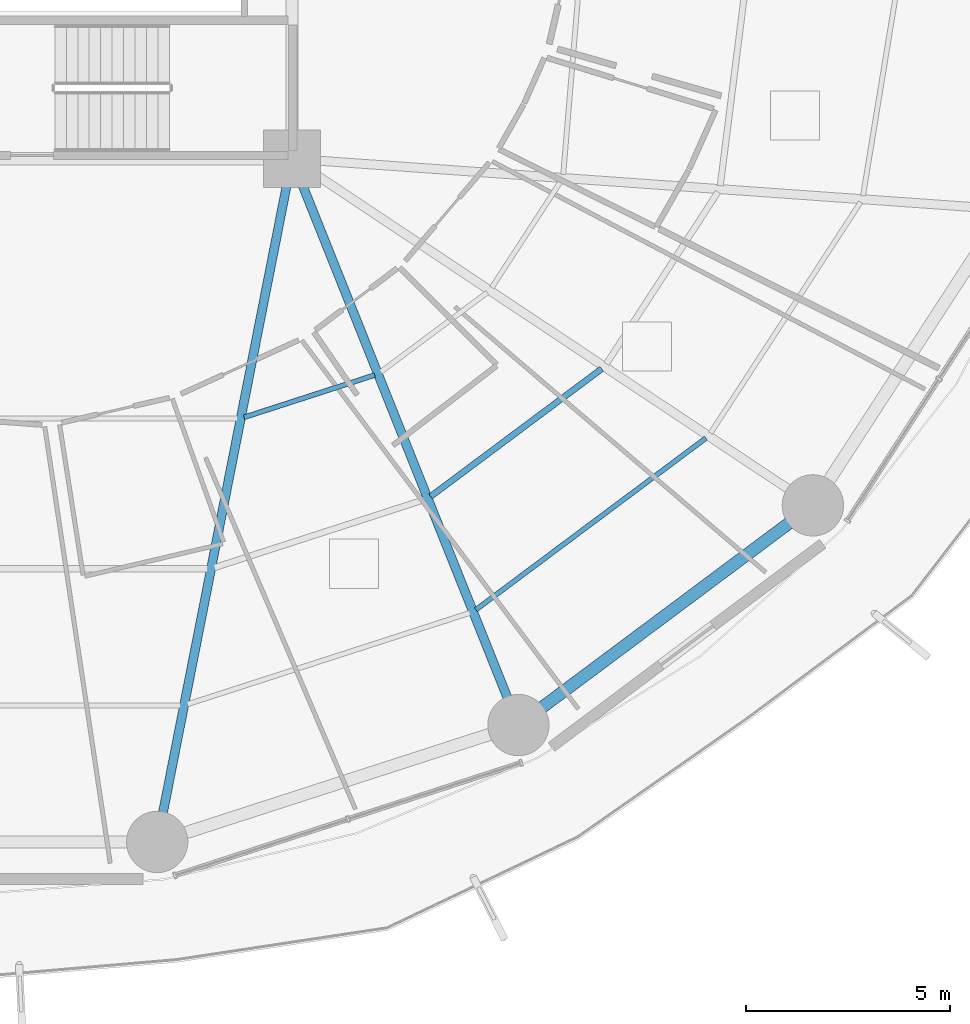
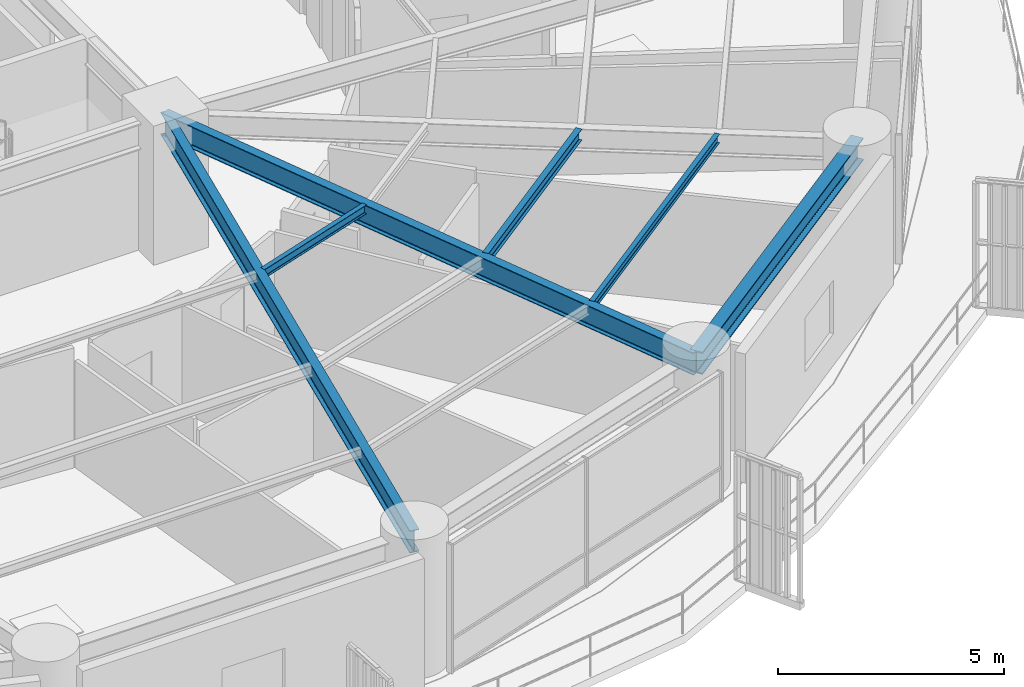
# One storey, part 9 of 32: 6 beams.
"""IFC4 building model written with IfcOpenShell, lengths in metres."""

import ifcopenshell
import ifcopenshell.guid

model = None  # the IFC model being written
_history = None  # IfcOwnerHistory: only IFC2X3 demands one
_inside = {}  # id of a spatial element -> (the spatial element, [elements in it])
_under = {}  # id of a project, library or spatial element -> (it, [spatial elements below it])
_declared = {}  # id of a project -> (the project, [libraries it declares])
_typed = {}  # id of a type object -> (the type object, [elements of that type])
_made_of = {}  # id of a material, layer set ... -> (it, [elements and type objects made of it])


def new_model(schema):
    """Start an empty IFC model of exactly this schema.

    Asked for "IFC4X3", IfcOpenShell would pick the latest addendum, in which some entities
    have other attributes; the version numbers below select the first issue.
    IFC2X3 requires an IfcOwnerHistory on every rooted entity: one is made here for all.
    """
    global model, _history
    if schema == "IFC4X3":
        model = ifcopenshell.file(schema_version=(4, 3, 0, 0))
    else:
        model = ifcopenshell.file(schema=schema)
    _inside.clear()
    _under.clear()
    _declared.clear()
    _typed.clear()
    _made_of.clear()
    _history = None
    if model.schema == "IFC2X3":
        org = make("IfcOrganization", Name="unknown")
        user = make(
            "IfcPersonAndOrganization",
            ThePerson=make("IfcPerson", FamilyName="unknown"),
            TheOrganization=org,
        )
        app = make(
            "IfcApplication",
            ApplicationDeveloper=org,
            Version="unknown",
            ApplicationFullName="unknown",
            ApplicationIdentifier="unknown",
        )
        _history = make(
            "IfcOwnerHistory",
            OwningUser=user,
            OwningApplication=app,
            ChangeAction="ADDED",
            CreationDate=0,
        )
    return model


def make(cls, **values):
    """One entity of the class cls with the attributes given. An attribute that is None is left unset."""
    return model.create_entity(
        cls, **{name: value for name, value in values.items() if value is not None}
    )


def rooted(cls, **values):
    """An entity with a GlobalId (a new one), such as an element, a storey or a relation."""
    return make(cls, GlobalId=ifcopenshell.guid.new(), OwnerHistory=_history, **values)


def si_unit(unit_type, name, prefix=None):
    """IfcSIUnit, for example si_unit("LENGTHUNIT", "METRE", prefix="MILLI")."""
    return make("IfcSIUnit", UnitType=unit_type, Prefix=prefix, Name=name)


def assignment(units):
    """IfcUnitAssignment: the units of a project."""
    return None if units is None else make("IfcUnitAssignment", Units=units)


def point(xyz):
    """IfcCartesianPoint."""
    return None if xyz is None else make("IfcCartesianPoint", Coordinates=xyz)


def direction(xyz):
    """IfcDirection."""
    return None if xyz is None else make("IfcDirection", DirectionRatios=xyz)


def frame(location, z_axis=None, x_axis=None):
    """IfcAxis2Placement3D, a coordinate frame: its origin and axes. An axis left out is left unset."""
    return make(
        "IfcAxis2Placement3D",
        Location=point(location),
        Axis=direction(z_axis),
        RefDirection=direction(x_axis),
    )


def frame_2d(location, x_axis=None):
    """IfcAxis2Placement2D, a coordinate frame in the plane: its origin and x axis."""
    return make(
        "IfcAxis2Placement2D", Location=point(location), RefDirection=direction(x_axis)
    )


def origin():
    """The frame at (0, 0, 0) with its axes left unset."""
    return frame((0.0, 0.0, 0.0))


def origin_2d():
    """The frame at (0, 0) in the plane with its x axis left unset."""
    return frame_2d((0.0, 0.0))


def place(relative_to, where):
    """IfcLocalPlacement: puts the frame where relative to a parent placement (None: the world)."""
    return make(
        "IfcLocalPlacement", PlacementRelTo=relative_to, RelativePlacement=where
    )


def context(
    kind, dimensions, precision=None, world=None, true_north=None, identifier=None
):
    """IfcGeometricRepresentationContext, for example the 3D "Model" context."""
    return make(
        "IfcGeometricRepresentationContext",
        ContextIdentifier=identifier,
        ContextType=kind,
        CoordinateSpaceDimension=dimensions,
        Precision=precision,
        WorldCoordinateSystem=world,
        TrueNorth=true_north,
    )


def subcontext(parent, identifier, kind, view, scale=None):
    """IfcGeometricRepresentationSubContext, for example "Body" below "Model"."""
    return make(
        "IfcGeometricRepresentationSubContext",
        ContextIdentifier=identifier,
        ContextType=kind,
        ParentContext=parent,
        TargetScale=scale,
        TargetView=view,
    )


def project(units=None, contexts=None):
    """IfcProject with its units and contexts."""
    return rooted(
        "IfcProject",
        Name="project",
        RepresentationContexts=contexts,
        UnitsInContext=assignment(units),
    )


def spatial(cls, under=None, at=None, **own):
    """A site, building, storey or space (cls), placed at a placement, below another one or the project."""
    s = rooted(cls, ObjectPlacement=at, **own)
    if under is not None:
        _under.setdefault(under.id(), (under, []))[1].append(s)
    return s


def profile(cls, at=None, kind="AREA", **sizes):
    """A parametric profile (cls). Its sizes go by their IFC names, for example OverallWidth=200.0."""
    return make(cls, ProfileType=kind, Position=at, **sizes)


def i_section(**sizes):
    """IfcIShapeProfileDef."""
    return profile("IfcIShapeProfileDef", **sizes)


def extrude(swept, where, along, depth):
    """IfcExtrudedAreaSolid: the profile swept, set in the frame where, extruded along a direction by depth."""
    return make(
        "IfcExtrudedAreaSolid",
        SweptArea=swept,
        Position=where,
        ExtrudedDirection=direction(along),
        Depth=depth,
    )


def shape(context_of_items, identifier, shape_type, items):
    """IfcShapeRepresentation: the items that make up one representation, for example the "Body"."""
    return make(
        "IfcShapeRepresentation",
        ContextOfItems=context_of_items,
        RepresentationIdentifier=identifier,
        RepresentationType=shape_type,
        Items=items,
    )


def material(Name=None, Category=None):
    """IfcMaterial."""
    return make("IfcMaterial", Name=Name, Category=Category)


def material_profile(
    of_material, cross_section, Name=None, Category=None, Priority=None
):
    """IfcMaterialProfile: a cross section and its material."""
    return make(
        "IfcMaterialProfile",
        Name=Name,
        Material=of_material,
        Profile=cross_section,
        Priority=Priority,
        Category=Category,
    )


def profile_set(profiles, Name=None, composite=None):
    """IfcMaterialProfileSet."""
    return make(
        "IfcMaterialProfileSet",
        Name=Name,
        MaterialProfiles=profiles,
        CompositeProfile=composite,
    )


def made_of(thing, what):
    """Note that an element or type object is made of a material, layer set ...; save() writes the relation."""
    if what is not None:
        _made_of.setdefault(what.id(), (what, []))[1].append(thing)
    return thing


def type_object(cls, material=None, **own):
    """A type object (cls), such as IfcWallType, which elements share."""
    return made_of(rooted(cls, **own), material)


def element(
    cls,
    number,
    at=None,
    inside=None,
    cuts=None,
    type_object=None,
    material=None,
    context=None,
    identifier="Body",
    shape_type=None,
    held_by="IfcProductDefinitionShape",
    body=None,
    shapes=None,
    **own,
):
    """One element of the class cls, such as IfcWall. Its Tag is "e" and its number.

    at: its placement. inside: the storey or other place that contains it. cuts: it is an
    opening in that element (IfcRelVoidsElement). A single representation is given by context,
    identifier, shape_type and body (its items); several are given by shapes. held_by: the class
    of the entity that holds the representations. save() writes the other relations.
    """
    e = rooted(cls, Tag="e%d" % number, ObjectPlacement=at, **own)
    if body is not None:
        shapes = [shape(context, identifier, shape_type, body)]
    if shapes is not None:
        e.Representation = make(held_by, Representations=shapes)
    if inside is not None:
        _inside.setdefault(inside.id(), (inside, []))[1].append(e)
    if cuts is not None:
        rooted(
            "IfcRelVoidsElement", RelatingBuildingElement=cuts, RelatedOpeningElement=e
        )
    if type_object is not None:
        _typed.setdefault(type_object.id(), (type_object, []))[1].append(e)
    return made_of(e, material)


def aggregate(whole, parts):
    """IfcRelAggregates: a whole, such as a stair, and the parts it consists of."""
    return rooted("IfcRelAggregates", RelatingObject=whole, RelatedObjects=parts)


def save(model, path):
    """Write the relations noted so far, then the file.

    IfcRelAggregates (storeys below a building ...), IfcRelContainedInSpatialStructure (elements
    in a storey), IfcRelDefinesByType, IfcRelAssociatesMaterial and IfcRelDeclares: one each for
    every whole, place, type object, material and project.
    """
    for whole, parts in _under.values():
        aggregate(whole, parts)
    for where, things in _inside.values():
        rooted(
            "IfcRelContainedInSpatialStructure",
            RelatedElements=things,
            RelatingStructure=where,
        )
    for kind, things in _typed.values():
        rooted("IfcRelDefinesByType", RelatedObjects=things, RelatingType=kind)
    for what, things in _made_of.values():
        rooted("IfcRelAssociatesMaterial", RelatedObjects=things, RelatingMaterial=what)
    for by, libraries in _declared.values():
        rooted("IfcRelDeclares", RelatingContext=by, RelatedDefinitions=libraries)
    model.write(path)


model = new_model("IFC4")

# Units and contexts
model_context = context("Model", 3, precision=1e-05, world=origin(), true_north=direction((0.0, 1.0)))
body_context = subcontext(model_context, "Body", "Model", "MODEL_VIEW")
ifc_project = project(units=[si_unit("LENGTHUNIT", "METRE"), si_unit("AREAUNIT", "SQUARE_METRE"), si_unit("VOLUMEUNIT", "CUBIC_METRE"), si_unit("PLANEANGLEUNIT", "RADIAN"), si_unit("MASSUNIT", "GRAM", prefix="KILO")], contexts=[model_context])

# Site, building, storey
site_placement = place(None, origin())
site = spatial("IfcSite", under=ifc_project, at=site_placement, CompositionType="ELEMENT")
building_placement = place(site_placement, origin())
building = spatial("IfcBuilding", under=site, at=building_placement, Name="Kelanora Arch Commons", CompositionType="ELEMENT")
storey_placement = place(building_placement, frame((0.0, 0.0, 60.0)))
storey = spatial("IfcBuildingStorey", under=building, at=storey_placement, Name="L15", CompositionType="ELEMENT", Elevation=60.0)

# Beams
ifc_material = material(Name="Steel S355", Category="steel")
ifc_material_profile_1 = material_profile(ifc_material, i_section(OverallWidth=0.14990234375, OverallDepth=0.300048828125, WebThickness=0.007080078125, FlangeThickness=0.0107421875, FilletRadius=0.014892578125, at=origin_2d()), Name="IPE300")
ifc_profile_set_1 = profile_set([ifc_material_profile_1], Name="Steel S355")
beam_type_1 = type_object("IfcBeamType", Name="BM-JST-01", PredefinedType="JOIST", material=ifc_profile_set_1)
beam_1_placement = place(storey_placement, frame((85.39208984375, 42.738525390625, 3.340087890625), z_axis=(0.801478251559, 0.598023922831, 0.0), x_axis=(-0.598023922831, 0.801478251559, 0.0)))
element("IfcBeam", 1, at=beam_1_placement, inside=storey, type_object=beam_type_1, Name="Secondary Chord Joist BJB-30 L15", PredefinedType="JOIST", context=body_context, shape_type="SweptSolid", body=[
    extrude(i_section(OverallWidth=0.14990234375, OverallDepth=0.300048828125, WebThickness=0.007080078125, FlangeThickness=0.0107421875, FilletRadius=0.014892578125, at=origin_2d()), origin(), (0.0, 0.0, 1.0), 5.223388671875),
])
ifc_material_profile_2 = material_profile(ifc_material, i_section(OverallWidth=0.1201171875, OverallDepth=0.239990234375, WebThickness=0.006103515625, FlangeThickness=0.009765625, FilletRadius=0.014892578125, at=origin_2d()), Name="IPE240")
ifc_profile_set_2 = profile_set([ifc_material_profile_2], Name="Steel S355")
beam_type_2 = type_object("IfcBeamType", Name="BM-JST-02", PredefinedType="JOIST", material=ifc_profile_set_2)
beam_2_placement = place(storey_placement, frame((80.827880859375, 44.6748046875, 3.3701171875), z_axis=(0.951422608074, 0.30788800049, 0.0), x_axis=(-0.30788800049, 0.951422608074, 0.0)))
element("IfcBeam", 2, at=beam_2_placement, inside=storey, type_object=beam_type_2, Name="Secondary Chord Joist BJA-28 L15", PredefinedType="JOIST", context=body_context, shape_type="SweptSolid", body=[
    extrude(i_section(OverallWidth=0.1201171875, OverallDepth=0.239990234375, WebThickness=0.006103515625, FlangeThickness=0.009765625, FilletRadius=0.014892578125, at=origin_2d()), origin(), (0.0, 0.0, 1.0), 3.359619140625),
])
beam_3_placement = place(storey_placement, frame((86.5, 39.9677734375, 3.3701171875), z_axis=(0.80149131963, 0.598006408459, 0.0), x_axis=(-0.598006408459, 0.80149131963, 0.0)))
element("IfcBeam", 3, at=beam_3_placement, inside=storey, type_object=beam_type_2, Name="Secondary Chord Joist BJC-30 L15", PredefinedType="JOIST", context=body_context, shape_type="SweptSolid", body=[
    extrude(i_section(OverallWidth=0.1201171875, OverallDepth=0.239990234375, WebThickness=0.006103515625, FlangeThickness=0.009765625, FilletRadius=0.014892578125, at=origin_2d()), origin(), (0.0, 0.0, 1.0), 7.021240234375),
])
ifc_material_profile_3 = material_profile(ifc_material, i_section(OverallWidth=0.219970703125, OverallDepth=0.60009765625, WebThickness=0.011962890625, FlangeThickness=0.01904296875, FilletRadius=0.02392578125, at=origin_2d()), Name="IPE600")
ifc_profile_set_3 = profile_set([ifc_material_profile_3], Name="Steel S355")
beam_type_3 = type_object("IfcBeamType", Name="BM-RAD-Z1", PredefinedType="BEAM", material=ifc_profile_set_3)
beam_4_placement = place(storey_placement, frame((82.0, 51.0, 3.18994140625), z_axis=(-0.19356352044, -0.981087745084, 0.0), x_axis=(0.981087745084, -0.19356352044, 0.0)))
element("IfcBeam", 4, at=beam_4_placement, inside=storey, type_object=beam_type_3, Name="Radial Floor Girder BR-28 L15", PredefinedType="BEAM", context=body_context, shape_type="SweptSolid", body=[
    extrude(i_section(OverallWidth=0.219970703125, OverallDepth=0.60009765625, WebThickness=0.011962890625, FlangeThickness=0.01904296875, FilletRadius=0.02392578125, at=origin_2d()), origin(), (0.0, 0.0, 1.0), 17.036376953125),
])
beam_5_placement = place(storey_placement, frame((82.0, 51.0, 3.18994140625), z_axis=(0.371300398117, -0.928512797089, 0.0), x_axis=(0.928512797089, 0.371300398117, 0.0)))
element("IfcBeam", 5, at=beam_5_placement, inside=storey, type_object=beam_type_3, Name="Radial Floor Girder BR-30 L15", PredefinedType="BEAM", context=body_context, shape_type="SweptSolid", body=[
    extrude(i_section(OverallWidth=0.219970703125, OverallDepth=0.60009765625, WebThickness=0.011962890625, FlangeThickness=0.01904296875, FilletRadius=0.02392578125, at=origin_2d()), origin(), (0.0, 0.0, 1.0), 14.920654296875),
])
ifc_material_profile_4 = material_profile(ifc_material, i_section(OverallWidth=0.300048828125, OverallDepth=0.60009765625, WebThickness=0.015380859375, FlangeThickness=0.030029296875, FilletRadius=0.027099609375, at=origin_2d()), Name="HEB600")
ifc_profile_set_4 = profile_set([ifc_material_profile_4], Name="Steel S355")
beam_type_4 = type_object("IfcBeamType", Name="BM-SPN-Z1", PredefinedType="SPANDREL", material=ifc_profile_set_4)
beam_6_placement = place(storey_placement, frame((87.5400390625, 37.14599609375, 3.18994140625), z_axis=(0.801467504127, 0.598038326388, 0.0), x_axis=(-0.598038326388, 0.801467504127, 0.0)))
element("IfcBeam", 6, at=beam_6_placement, inside=storey, type_object=beam_type_4, Name="Perimeter Spandrel Beam BS-30 L15", PredefinedType="SPANDREL", context=body_context, shape_type="SweptSolid", body=[
    extrude(i_section(OverallWidth=0.300048828125, OverallDepth=0.60009765625, WebThickness=0.015380859375, FlangeThickness=0.030029296875, FilletRadius=0.027099609375, at=origin_2d()), origin(), (0.0, 0.0, 1.0), 8.989013671875),
])

save(model, "model.ifc")
